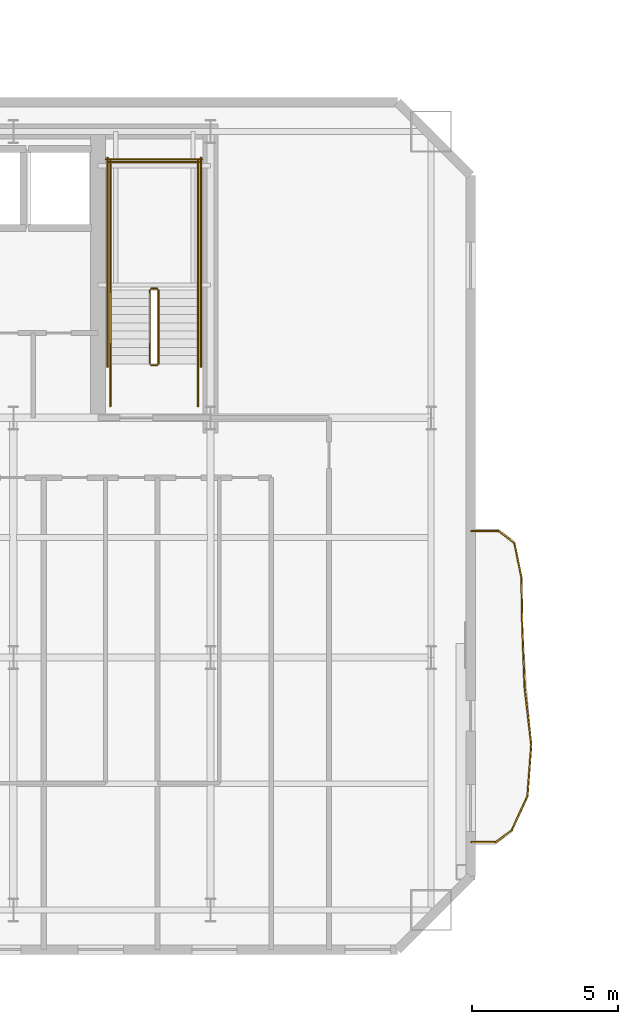
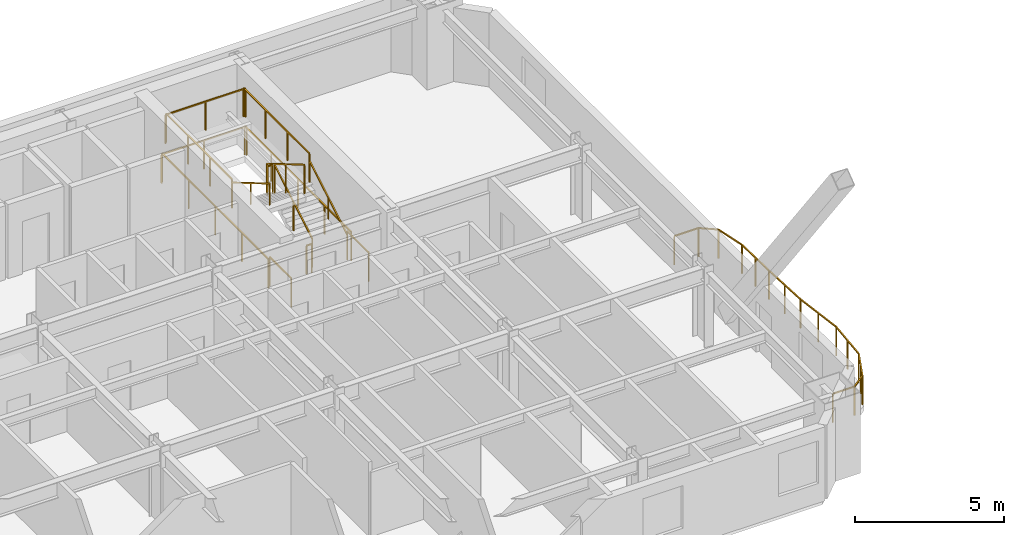
# One storey, part 12 of 14: 24 railings.
"""IFC4 building model written with IfcOpenShell, lengths in metres."""

from ifc_helpers import new_model, si_unit, direction, frame, origin, origin_2d, place, context, subcontext, project, spatial, rectangle, extrude, material, type_object, element, save


model = new_model("IFC4")

# Units and contexts
model_context = context("Model", 3, precision=1e-05, world=origin(), true_north=direction((0.0, 1.0)))
body_context = subcontext(model_context, "Body", "Model", "MODEL_VIEW")
ifc_project = project(units=[si_unit("LENGTHUNIT", "METRE"), si_unit("AREAUNIT", "SQUARE_METRE"), si_unit("VOLUMEUNIT", "CUBIC_METRE"), si_unit("PLANEANGLEUNIT", "RADIAN"), si_unit("MASSUNIT", "GRAM", prefix="KILO")], contexts=[model_context])

# Site, building, storey
site_placement = place(None, origin())
site = spatial("IfcSite", under=ifc_project, at=site_placement, CompositionType="ELEMENT")
building_placement = place(site_placement, origin())
building = spatial("IfcBuilding", under=site, at=building_placement, Name="Haevon Station Towers", CompositionType="ELEMENT")
storey_placement = place(building_placement, frame((0.0, 0.0, 123.0)))
storey = spatial("IfcBuildingStorey", under=building, at=storey_placement, Name="L33", CompositionType="ELEMENT", Elevation=123.0)

# Railings
ifc_material = material(Name="Steel S355", Category="steel")
railing_type_1 = type_object("IfcRailingType", Name="GRD-EXT1200", PredefinedType="GUARDRAIL", material=ifc_material)
railing_1_placement = place(storey_placement, frame((59.923583984375, 23.677734375, 0.0)))
element("IfcRailing", 1, at=railing_1_placement, inside=storey, type_object=railing_type_1, Name="L33 Perimeter Guardrail 1", PredefinedType="GUARDRAIL", context=body_context, shape_type="SweptSolid", body=[
    extrude(rectangle(XDim=0.048095703125, YDim=0.048095703125, at=origin_2d()), frame((0.0, 0.0, 1.17578125), z_axis=(0.999997283225, 0.002330995998, 0.0), x_axis=(-0.002330995998, 0.999997283225, 0.0)), (0.0, 0.0, 1.0), 0.837890625),
    extrude(rectangle(XDim=0.0419921875, YDim=0.0419921875, at=origin_2d()), origin(), (0.0, 0.0, 1.0), 1.15185546875),
    extrude(rectangle(XDim=0.0419921875, YDim=0.0419921875, at=origin_2d()), frame((0.837890625, 0.001953125, 0.0)), (0.0, 0.0, 1.0), 1.15185546875),
])
railing_2_placement = place(storey_placement, frame((60.761474609375, 23.6796875, 0.0)))
element("IfcRailing", 2, at=railing_2_placement, inside=storey, type_object=railing_type_1, Name="L33 Perimeter Guardrail 2", PredefinedType="GUARDRAIL", context=body_context, shape_type="SweptSolid", body=[
    extrude(rectangle(XDim=0.048095703125, YDim=0.048095703125, at=origin_2d()), frame((0.0, 0.0, 1.17578125), z_axis=(0.801826187868, 0.597557331516, 0.0), x_axis=(-0.597557331516, 0.801826187868, 0.0)), (0.0, 0.0, 1.0), 0.6884765625),
    extrude(rectangle(XDim=0.0419921875, YDim=0.0419921875, at=origin_2d()), origin(), (0.0, 0.0, 1.0), 1.15185546875),
    extrude(rectangle(XDim=0.0419921875, YDim=0.0419921875, at=origin_2d()), frame((0.552001953125, 0.411376953125, 0.0)), (0.0, 0.0, 1.0), 1.15185546875),
])
railing_3_placement = place(storey_placement, frame((61.3134765625, 24.091064453125, 0.0)))
element("IfcRailing", 3, at=railing_3_placement, inside=storey, type_object=railing_type_1, Name="L33 Perimeter Guardrail 3", PredefinedType="GUARDRAIL", context=body_context, shape_type="SweptSolid", body=[
    extrude(rectangle(XDim=0.048095703125, YDim=0.048095703125, at=origin_2d()), frame((0.0, 0.0, 1.17578125), z_axis=(0.413917488552, 0.910314403198, 0.0), x_axis=(-0.910314403198, 0.413917488552, 0.0)), (0.0, 0.0, 1.0), 1.28466796875),
    extrude(rectangle(XDim=0.0419921875, YDim=0.0419921875, at=origin_2d()), origin(), (0.0, 0.0, 1.0), 1.15185546875),
    extrude(rectangle(XDim=0.0419921875, YDim=0.0419921875, at=origin_2d()), frame((0.265869140625, 0.584716796875, 0.0)), (0.0, 0.0, 1.0), 1.15185546875),
    extrude(rectangle(XDim=0.0419921875, YDim=0.0419921875, at=origin_2d()), frame((0.53173828125, 1.16943359375, 0.0)), (0.0, 0.0, 1.0), 1.15185546875),
])
railing_4_placement = place(storey_placement, frame((61.84521484375, 25.260498046875, 0.0)))
element("IfcRailing", 4, at=railing_4_placement, inside=storey, type_object=railing_type_1, Name="L33 Perimeter Guardrail 4", PredefinedType="GUARDRAIL", context=body_context, shape_type="SweptSolid", body=[
    extrude(rectangle(XDim=0.048095703125, YDim=0.048095703125, at=origin_2d()), frame((0.0, 0.0, 1.17578125), z_axis=(0.074672193364, 0.997208134513, 0.0), x_axis=(-0.997208134513, 0.074672193364, 0.0)), (0.0, 0.0, 1.0), 1.75244140625),
    extrude(rectangle(XDim=0.0419921875, YDim=0.0419921875, at=origin_2d()), origin(), (0.0, 0.0, 1.0), 1.15185546875),
    extrude(rectangle(XDim=0.0419921875, YDim=0.0419921875, at=origin_2d()), frame((0.0654296875, 0.873779296875, 0.0)), (0.0, 0.0, 1.0), 1.15185546875),
    extrude(rectangle(XDim=0.0419921875, YDim=0.0419921875, at=origin_2d()), frame((0.130859375, 1.74755859375, 0.0)), (0.0, 0.0, 1.0), 1.15185546875),
])
railing_5_placement = place(storey_placement, frame((61.97607421875, 27.008056640625, 0.0)))
element("IfcRailing", 5, at=railing_5_placement, inside=storey, type_object=railing_type_1, Name="L33 Perimeter Guardrail 5", PredefinedType="GUARDRAIL", context=body_context, shape_type="SweptSolid", body=[
    extrude(rectangle(XDim=0.048095703125, YDim=0.048095703125, at=origin_2d()), frame((0.0, 0.0, 1.17578125), z_axis=(-0.114933725314, 0.993373161901, 0.0), x_axis=(-0.993373161901, -0.114933725314, 0.0)), (0.0, 0.0, 1.0), 2.005126953125),
    extrude(rectangle(XDim=0.0419921875, YDim=0.0419921875, at=origin_2d()), origin(), (0.0, 0.0, 1.0), 1.15185546875),
    extrude(rectangle(XDim=0.0419921875, YDim=0.0419921875, at=origin_2d()), frame((-0.115234375, 0.99609375, 0.0)), (0.0, 0.0, 1.0), 1.15185546875),
    extrude(rectangle(XDim=0.0419921875, YDim=0.0419921875, at=origin_2d()), frame((-0.23046875, 1.991943359375, 0.0)), (0.0, 0.0, 1.0), 1.15185546875),
])
railing_6_placement = place(storey_placement, frame((61.74560546875, 29.0, 0.0)))
element("IfcRailing", 6, at=railing_6_placement, inside=storey, type_object=railing_type_1, Name="L33 Perimeter Guardrail 6", PredefinedType="GUARDRAIL", context=body_context, shape_type="SweptSolid", body=[
    extrude(rectangle(XDim=0.048095703125, YDim=0.048095703125, at=origin_2d()), frame((0.0, 0.0, 1.17578125), z_axis=(-0.038150453475, 0.999272006463, 0.0), x_axis=(-0.999272006463, -0.038150453475, 0.0)), (0.0, 0.0, 1.0), 1.990234375),
    extrude(rectangle(XDim=0.0419921875, YDim=0.0419921875, at=origin_2d()), origin(), (0.0, 0.0, 1.0), 1.15185546875),
    extrude(rectangle(XDim=0.0419921875, YDim=0.0419921875, at=origin_2d()), frame((-0.0380859375, 0.994384765625, 0.0)), (0.0, 0.0, 1.0), 1.15185546875),
    extrude(rectangle(XDim=0.0419921875, YDim=0.0419921875, at=origin_2d()), frame((-0.075927734375, 1.98876953125, 0.0)), (0.0, 0.0, 1.0), 1.15185546875),
])
railing_7_placement = place(storey_placement, frame((61.669677734375, 30.98876953125, 0.0)))
element("IfcRailing", 7, at=railing_7_placement, inside=storey, type_object=railing_type_1, Name="L33 Perimeter Guardrail 7", PredefinedType="GUARDRAIL", context=body_context, shape_type="SweptSolid", body=[
    extrude(rectangle(XDim=0.048095703125, YDim=0.048095703125, at=origin_2d()), frame((0.0, 0.0, 1.17578125), z_axis=(-0.017572959065, 0.999845583633, 0.0), x_axis=(-0.999845583633, -0.017572959065, 0.0)), (0.0, 0.0, 1.0), 1.75048828125),
    extrude(rectangle(XDim=0.0419921875, YDim=0.0419921875, at=origin_2d()), origin(), (0.0, 0.0, 1.0), 1.15185546875),
    extrude(rectangle(XDim=0.0419921875, YDim=0.0419921875, at=origin_2d()), frame((-0.015380859375, 0.875, 0.0)), (0.0, 0.0, 1.0), 1.15185546875),
    extrude(rectangle(XDim=0.0419921875, YDim=0.0419921875, at=origin_2d()), frame((-0.03076171875, 1.750244140625, 0.0)), (0.0, 0.0, 1.0), 1.15185546875),
])
railing_8_placement = place(storey_placement, frame((61.638916015625, 32.739013671875, 0.0)))
element("IfcRailing", 8, at=railing_8_placement, inside=storey, type_object=railing_type_1, Name="L33 Perimeter Guardrail 8", PredefinedType="GUARDRAIL", context=body_context, shape_type="SweptSolid", body=[
    extrude(rectangle(XDim=0.048095703125, YDim=0.048095703125, at=origin_2d()), frame((0.0, 0.0, 1.17578125), z_axis=(-0.199771721582, 0.979842466551, 0.0), x_axis=(-0.979842466551, -0.199771721582, 0.0)), (0.0, 0.0, 1.0), 1.194091796875),
    extrude(rectangle(XDim=0.0419921875, YDim=0.0419921875, at=origin_2d()), origin(), (0.0, 0.0, 1.0), 1.15185546875),
    extrude(rectangle(XDim=0.0419921875, YDim=0.0419921875, at=origin_2d()), frame((-0.238525390625, 1.169921875, 0.0)), (0.0, 0.0, 1.0), 1.15185546875),
])
railing_9_placement = place(storey_placement, frame((61.400390625, 33.908935546875, 0.0)))
element("IfcRailing", 9, at=railing_9_placement, inside=storey, type_object=railing_type_1, Name="L33 Perimeter Guardrail 9", PredefinedType="GUARDRAIL", context=body_context, shape_type="SweptSolid", body=[
    extrude(rectangle(XDim=0.048095703125, YDim=0.048095703125, at=origin_2d()), frame((0.0, 0.0, 1.17578125), z_axis=(-0.79178726734, 0.61079695749, 0.0), x_axis=(-0.61079695749, -0.79178726734, 0.0)), (0.0, 0.0, 1.0), 0.673095703125),
    extrude(rectangle(XDim=0.0419921875, YDim=0.0419921875, at=origin_2d()), origin(), (0.0, 0.0, 1.0), 1.15185546875),
    extrude(rectangle(XDim=0.0419921875, YDim=0.0419921875, at=origin_2d()), frame((-0.532958984375, 0.4111328125, 0.0)), (0.0, 0.0, 1.0), 1.15185546875),
])
railing_10_placement = place(storey_placement, frame((60.867431640625, 34.320068359375, 0.0)))
element("IfcRailing", 10, at=railing_10_placement, inside=storey, type_object=railing_type_1, Name="L33 Perimeter Guardrail 10", PredefinedType="GUARDRAIL", context=body_context, shape_type="SweptSolid", body=[
    extrude(rectangle(XDim=0.048095703125, YDim=0.048095703125, at=origin_2d()), frame((0.0, 0.0, 1.17578125), z_axis=(-0.999997290248, 0.002327981276, 0.0), x_axis=(-0.002327981276, -0.999997290248, 0.0)), (0.0, 0.0, 1.0), 0.94384765625),
    extrude(rectangle(XDim=0.0419921875, YDim=0.0419921875, at=origin_2d()), origin(), (0.0, 0.0, 1.0), 1.15185546875),
    extrude(rectangle(XDim=0.0419921875, YDim=0.0419921875, at=origin_2d()), frame((-0.94384765625, 0.002197265625, 0.0)), (0.0, 0.0, 1.0), 1.15185546875),
])
railing_type_2 = type_object("IfcRailingType", Name="GRD-STR1200", PredefinedType="GUARDRAIL", material=ifc_material)
railing_11_placement = place(storey_placement, frame((49.219970703125, 40.050048828125, 0.1650390625)))
element("IfcRailing", 11, at=railing_11_placement, inside=storey, type_object=railing_type_2, Name="L33 ST2 Stair Guard 1", PredefinedType="GUARDRAIL", context=body_context, shape_type="SweptSolid", body=[
    extrude(rectangle(XDim=0.048095703125, YDim=0.048095703125, at=origin_2d()), frame((0.0, 0.0, 1.17578125), z_axis=(0.0, 0.861560626758, 0.507654692109), x_axis=(-1.0, 0.0, 0.0)), (0.0, 0.0, 1.0), 2.925048828125),
    extrude(rectangle(XDim=0.0419921875, YDim=0.0419921875, at=origin_2d()), origin(), (0.0, 0.0, 1.0), 1.15185546875),
    extrude(rectangle(XDim=0.0419921875, YDim=0.0419921875, at=origin_2d()), frame((0.0, 1.260009765625, 0.742431640625)), (0.0, 0.0, 1.0), 1.15185546875),
    extrude(rectangle(XDim=0.0419921875, YDim=0.0419921875, at=origin_2d()), frame((0.0, 2.52001953125, 1.48486328125)), (0.0, 0.0, 1.0), 1.15185546875),
])
railing_12_placement = place(storey_placement, frame((49.169921875, 42.6201171875, 1.64990234375)))
element("IfcRailing", 12, at=railing_12_placement, inside=storey, type_object=railing_type_2, Name="L33 ST2 Stair Guard 2", PredefinedType="GUARDRAIL", context=body_context, shape_type="SweptSolid", body=[
    extrude(rectangle(XDim=0.048095703125, YDim=0.048095703125, at=origin_2d()), frame((0.0, 0.0, 1.17578125), z_axis=(-1.0, 0.0, 0.0), x_axis=(0.0, -1.0, 0.0)), (0.0, 0.0, 1.0), 0.199951171875),
    extrude(rectangle(XDim=0.0419921875, YDim=0.0419921875, at=origin_2d()), origin(), (0.0, 0.0, 1.0), 1.15185546875),
    extrude(rectangle(XDim=0.0419921875, YDim=0.0419921875, at=origin_2d()), frame((-0.199951171875, 0.0, 0.0)), (0.0, 0.0, 1.0), 1.15185546875),
])
for number, where, name in (
    (13, (50.570068359375, 42.570068359375, 1.64990234375), "L33 ST2 Stair Guard 3"),
    (14, (47.570068359375, 42.570068359375, 1.64990234375), "L33 ST2 Stair Guard 4"),
):
    element("IfcRailing", number, at=place(storey_placement, frame(where)), inside=storey, type_object=railing_type_2, Name=name, PredefinedType="GUARDRAIL", context=body_context, shape_type="SweptSolid", body=[
        extrude(rectangle(XDim=0.048095703125, YDim=0.048095703125, at=origin_2d()), frame((0.0, 0.0, 1.17578125), z_axis=(0.0, 1.0, 0.0), x_axis=(-1.0, 0.0, 0.0)), (0.0, 0.0, 1.0), 4.429931640625),
        extrude(rectangle(XDim=0.0419921875, YDim=0.0419921875, at=origin_2d()), origin(), (0.0, 0.0, 1.0), 1.15185546875),
        extrude(rectangle(XDim=0.0419921875, YDim=0.0419921875, at=origin_2d()), frame((0.0, 1.4765625, 0.0)), (0.0, 0.0, 1.0), 1.15185546875),
        extrude(rectangle(XDim=0.0419921875, YDim=0.0419921875, at=origin_2d()), frame((0.0, 2.953369140625, 0.0)), (0.0, 0.0, 1.0), 1.15185546875),
        extrude(rectangle(XDim=0.0419921875, YDim=0.0419921875, at=origin_2d()), frame((0.0, 4.429931640625, 0.0)), (0.0, 0.0, 1.0), 1.15185546875),
    ])
railing_13_placement = place(storey_placement, frame((50.6201171875, 46.949951171875, 1.64990234375)))
element("IfcRailing", 15, at=railing_13_placement, inside=storey, type_object=railing_type_2, Name="L33 ST2 Stair Guard 5", PredefinedType="GUARDRAIL", context=body_context, shape_type="SweptSolid", body=[
    extrude(rectangle(XDim=0.048095703125, YDim=0.048095703125, at=origin_2d()), frame((0.0, 0.0, 1.17578125), z_axis=(-1.0, 0.0, 0.0), x_axis=(0.0, -1.0, 0.0)), (0.0, 0.0, 1.0), 3.10009765625),
    extrude(rectangle(XDim=0.0419921875, YDim=0.0419921875, at=origin_2d()), origin(), (0.0, 0.0, 1.0), 1.15185546875),
    extrude(rectangle(XDim=0.0419921875, YDim=0.0419921875, at=origin_2d()), frame((-1.550048828125, 0.0, 0.0)), (0.0, 0.0, 1.0), 1.15185546875),
    extrude(rectangle(XDim=0.0419921875, YDim=0.0419921875, at=origin_2d()), frame((-3.10009765625, 0.0, 0.0)), (0.0, 0.0, 1.0), 1.15185546875),
])
railing_14_placement = place(storey_placement, frame((48.919921875, 42.570068359375, 1.81494140625)))
element("IfcRailing", 16, at=railing_14_placement, inside=storey, type_object=railing_type_2, Name="L33 ST2 Stair Guard 6", PredefinedType="GUARDRAIL", context=body_context, shape_type="SweptSolid", body=[
    extrude(rectangle(XDim=0.048095703125, YDim=0.048095703125, at=origin_2d()), frame((0.0, 0.0, 1.17578125), z_axis=(0.0, -0.86152411907, 0.507716645641), x_axis=(1.0, 0.0, 0.0)), (0.0, 0.0, 1.0), 2.925048828125),
    extrude(rectangle(XDim=0.0419921875, YDim=0.0419921875, at=origin_2d()), origin(), (0.0, 0.0, 1.0), 1.15185546875),
    extrude(rectangle(XDim=0.0419921875, YDim=0.0419921875, at=origin_2d()), frame((0.0, -1.260009765625, 0.74267578125)), (0.0, 0.0, 1.0), 1.15185546875),
    extrude(rectangle(XDim=0.0419921875, YDim=0.0419921875, at=origin_2d()), frame((0.0, -2.52001953125, 1.485107421875)), (0.0, 0.0, 1.0), 1.15185546875),
])
railing_15_placement = place(storey_placement, frame((49.169921875, 40.0, 0.0)))
element("IfcRailing", 17, at=railing_15_placement, inside=storey, type_object=railing_type_2, Name="L33 ST2 Stair Guard 7", PredefinedType="GUARDRAIL", context=body_context, shape_type="SweptSolid", body=[
    extrude(rectangle(XDim=0.048095703125, YDim=0.048095703125, at=origin_2d()), frame((0.0, 0.0, 1.17578125), z_axis=(-1.0, 0.0, 0.0), x_axis=(0.0, -1.0, 0.0)), (0.0, 0.0, 1.0), 0.199951171875),
    extrude(rectangle(XDim=0.0419921875, YDim=0.0419921875, at=origin_2d()), origin(), (0.0, 0.0, 1.0), 1.15185546875),
    extrude(rectangle(XDim=0.0419921875, YDim=0.0419921875, at=origin_2d()), frame((-0.199951171875, 0.0, 0.0)), (0.0, 0.0, 1.0), 1.15185546875),
])
for number, where, name in (
    (18, (50.570068359375, 38.60009765625, 0.0), "L33 ST2 Stair Guard 8"),
    (19, (47.570068359375, 38.60009765625, 0.0), "L33 ST2 Stair Guard 9"),
):
    element("IfcRailing", number, at=place(storey_placement, frame(where)), inside=storey, type_object=railing_type_2, Name=name, PredefinedType="GUARDRAIL", context=body_context, shape_type="SweptSolid", body=[
        extrude(rectangle(XDim=0.048095703125, YDim=0.048095703125, at=origin_2d()), frame((0.0, 0.0, 1.17578125), z_axis=(0.0, 1.0, 0.0), x_axis=(-1.0, 0.0, 0.0)), (0.0, 0.0, 1.0), 1.449951171875),
        extrude(rectangle(XDim=0.0419921875, YDim=0.0419921875, at=origin_2d()), origin(), (0.0, 0.0, 1.0), 1.15185546875),
        extrude(rectangle(XDim=0.0419921875, YDim=0.0419921875, at=origin_2d()), frame((0.0, 1.449951171875, 0.0)), (0.0, 0.0, 1.0), 1.15185546875),
    ])
for number, where, name in (
    (20, (50.669921875, 39.949951171875, 0.0), "L33 ST2 Stair Guard 10"),
    (21, (47.469970703125, 39.949951171875, 0.0), "L33 ST2 Stair Guard 11"),
):
    element("IfcRailing", number, at=place(storey_placement, frame(where)), inside=storey, type_object=railing_type_2, Name=name, PredefinedType="GUARDRAIL", context=body_context, shape_type="SweptSolid", body=[
        extrude(rectangle(XDim=0.048095703125, YDim=0.048095703125, at=origin_2d()), frame((0.0, 0.0, 1.17578125), z_axis=(0.0, 1.0, 0.0), x_axis=(-1.0, 0.0, 0.0)), (0.0, 0.0, 1.0), 7.150146484375),
        extrude(rectangle(XDim=0.0419921875, YDim=0.0419921875, at=origin_2d()), origin(), (0.0, 0.0, 1.0), 1.15185546875),
        extrude(rectangle(XDim=0.0419921875, YDim=0.0419921875, at=origin_2d()), frame((0.0, 1.78759765625, 0.0)), (0.0, 0.0, 1.0), 1.15185546875),
        extrude(rectangle(XDim=0.0419921875, YDim=0.0419921875, at=origin_2d()), frame((0.0, 3.5751953125, 0.0)), (0.0, 0.0, 1.0), 1.15185546875),
        extrude(rectangle(XDim=0.0419921875, YDim=0.0419921875, at=origin_2d()), frame((0.0, 5.362548828125, 0.0)), (0.0, 0.0, 1.0), 1.15185546875),
        extrude(rectangle(XDim=0.0419921875, YDim=0.0419921875, at=origin_2d()), frame((0.0, 7.150146484375, 0.0)), (0.0, 0.0, 1.0), 1.15185546875),
    ])
railing_16_placement = place(storey_placement, frame((50.719970703125, 47.050048828125, 0.0)))
element("IfcRailing", 22, at=railing_16_placement, inside=storey, type_object=railing_type_2, Name="L33 ST2 Stair Guard 12", PredefinedType="GUARDRAIL", context=body_context, shape_type="SweptSolid", body=[
    extrude(rectangle(XDim=0.048095703125, YDim=0.048095703125, at=origin_2d()), frame((0.0, 0.0, 1.17578125), z_axis=(-1.0, 0.0, 0.0), x_axis=(0.0, -1.0, 0.0)), (0.0, 0.0, 1.0), 3.300048828125),
    extrude(rectangle(XDim=0.0419921875, YDim=0.0419921875, at=origin_2d()), origin(), (0.0, 0.0, 1.0), 1.15185546875),
    extrude(rectangle(XDim=0.0419921875, YDim=0.0419921875, at=origin_2d()), frame((-1.64990234375, 0.0, 0.0)), (0.0, 0.0, 1.0), 1.15185546875),
    extrude(rectangle(XDim=0.0419921875, YDim=0.0419921875, at=origin_2d()), frame((-3.300048828125, 0.0, 0.0)), (0.0, 0.0, 1.0), 1.15185546875),
])
railing_type_3 = type_object("IfcRailingType", Name="HND-STR900", PredefinedType="HANDRAIL", material=ifc_material)
railing_17_placement = place(storey_placement, frame((50.570068359375, 40.050048828125, 0.1650390625)))
element("IfcRailing", 23, at=railing_17_placement, inside=storey, type_object=railing_type_3, Name="L33 ST2 Stair Handrail 1", PredefinedType="HANDRAIL", context=body_context, shape_type="SweptSolid", body=[
    extrude(rectangle(XDim=0.048095703125, YDim=0.048095703125, at=origin_2d()), frame((0.0, 0.0, 0.8759765625), z_axis=(0.0, 0.861560626758, 0.507654692109), x_axis=(-1.0, 0.0, 0.0)), (0.0, 0.0, 1.0), 2.925048828125),
    extrude(rectangle(XDim=0.0419921875, YDim=0.0419921875, at=origin_2d()), origin(), (0.0, 0.0, 1.0), 0.851806640625),
    extrude(rectangle(XDim=0.0419921875, YDim=0.0419921875, at=origin_2d()), frame((0.0, 1.260009765625, 0.742431640625)), (0.0, 0.0, 1.0), 0.851806640625),
    extrude(rectangle(XDim=0.0419921875, YDim=0.0419921875, at=origin_2d()), frame((0.0, 2.52001953125, 1.48486328125)), (0.0, 0.0, 1.0), 0.851806640625),
])
railing_18_placement = place(storey_placement, frame((47.570068359375, 42.570068359375, 1.81494140625)))
element("IfcRailing", 24, at=railing_18_placement, inside=storey, type_object=railing_type_3, Name="L33 ST2 Stair Handrail 2", PredefinedType="HANDRAIL", context=body_context, shape_type="SweptSolid", body=[
    extrude(rectangle(XDim=0.048095703125, YDim=0.048095703125, at=origin_2d()), frame((0.0, 0.0, 0.8759765625), z_axis=(0.0, -0.86152411907, 0.507716645641), x_axis=(1.0, 0.0, 0.0)), (0.0, 0.0, 1.0), 2.925048828125),
    extrude(rectangle(XDim=0.0419921875, YDim=0.0419921875, at=origin_2d()), origin(), (0.0, 0.0, 1.0), 0.851806640625),
    extrude(rectangle(XDim=0.0419921875, YDim=0.0419921875, at=origin_2d()), frame((0.0, -1.260009765625, 0.74267578125)), (0.0, 0.0, 1.0), 0.851806640625),
    extrude(rectangle(XDim=0.0419921875, YDim=0.0419921875, at=origin_2d()), frame((0.0, -2.52001953125, 1.485107421875)), (0.0, 0.0, 1.0), 0.851806640625),
])

save(model, "model.ifc")
